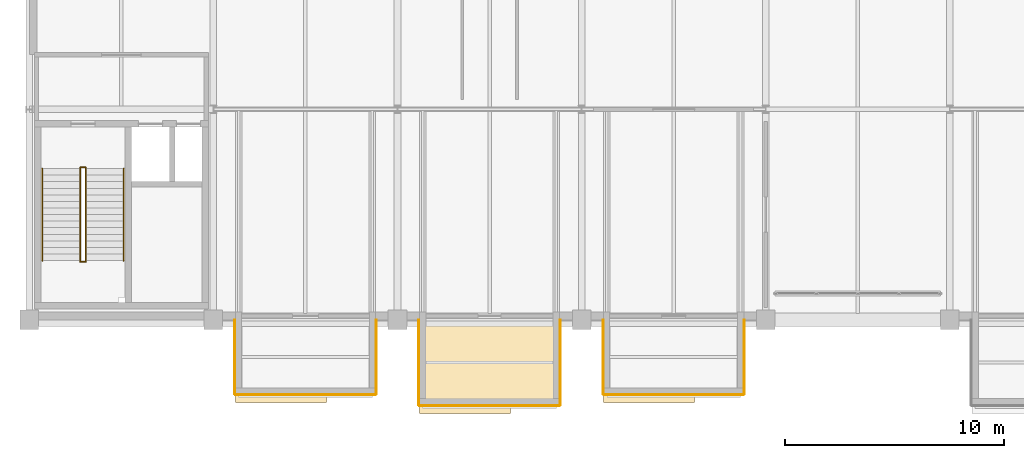
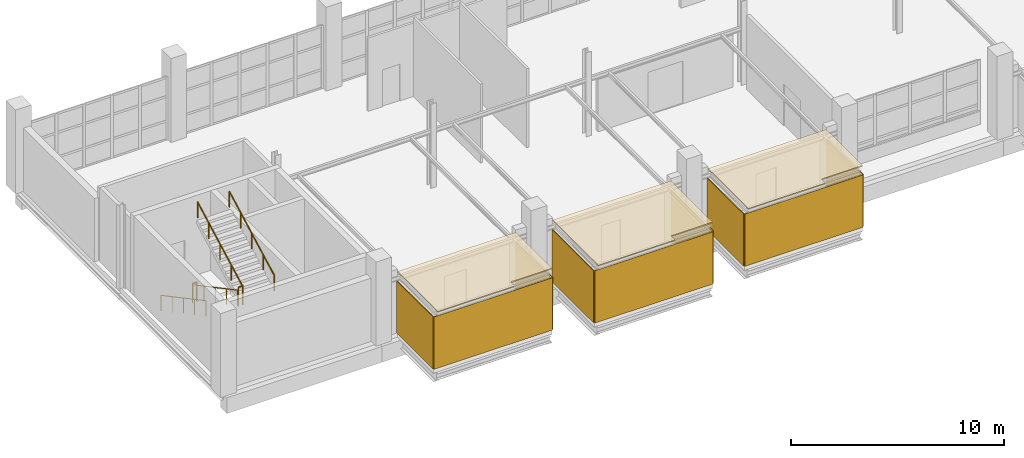
# One storey, part 27 of 29: 12 coverings, 6 railings.
"""IFC4 building model written with IfcOpenShell, lengths in metres."""

from ifc_helpers import new_model, si_unit, direction, frame, frame_2d, origin, origin_2d, place, context, subcontext, project, spatial, polyline, rectangle, circle, outline, extrude, material, layer, layer_set, type_object, element, save


model = new_model("IFC4")

# Units and contexts
model_context = context("Model", 3, precision=1e-05, world=origin(), true_north=direction((0.0, 1.0)))
body_context = subcontext(model_context, "Body", "Model", "MODEL_VIEW")
ifc_project = project(units=[si_unit("LENGTHUNIT", "METRE"), si_unit("AREAUNIT", "SQUARE_METRE"), si_unit("VOLUMEUNIT", "CUBIC_METRE"), si_unit("PLANEANGLEUNIT", "RADIAN"), si_unit("MASSUNIT", "GRAM", prefix="KILO")], contexts=[model_context])

# Site, building, storey
site_placement = place(None, origin())
site = spatial("IfcSite", under=ifc_project, at=site_placement, CompositionType="ELEMENT")
building_placement = place(site_placement, origin())
building = spatial("IfcBuilding", under=site, at=building_placement, Name="Veltarok Museum of Natural Sciences", CompositionType="ELEMENT")
storey_placement = place(building_placement, frame((0.0, 0.0, 26.39990234375)))
storey = spatial("IfcBuildingStorey", under=building, at=storey_placement, Name="L05", CompositionType="ELEMENT", Elevation=26.39990234375)

# Coverings
ifc_material_1 = material(Name="Corrugated zinc cladding")
ifc_layer_1 = layer(ifc_material_1, 0.044921875)
ifc_layer_set_1 = layer_set([ifc_layer_1], Name="Corrugated zinc cladding")
covering_type_1 = type_object("IfcCoveringType", Name="Corrugated Titanium-Zinc Rainscreen Cladding 45", PredefinedType="CLADDING", material=ifc_layer_set_1)
covering_1_placement = place(storey_placement, frame((41.0, -3.422119140625, 0.0), z_axis=(0.0, 0.0, 1.0), x_axis=(1.0, 0.0, 0.0)))
element("IfcCovering", 1, at=covering_1_placement, inside=storey, type_object=covering_type_1, Name="Corrugated Zinc Cladding DB-25-S", PredefinedType="CLADDING", context=body_context, shape_type="SweptSolid", body=[
    extrude(rectangle(XDim=6.39990234375, YDim=0.044921875, at=frame_2d((3.199951171875, 0.0))), origin(), (0.0, 0.0, 1.0), 2.989990234375),
])
for number, where, z_axis, x_axis, name in (
    (2, (40.97802734375, 0.0, 0.0), (0.0, 0.0, 1.0), (0.0, -1.0, 0.0), "Corrugated Zinc Cladding DB-25-W"),
    (3, (47.422119140625, -3.39990234375, 0.0), (0.0, 0.0, 1.0), (0.0, 1.0, 0.0), "Corrugated Zinc Cladding DB-25-E"),
):
    element("IfcCovering", number, at=place(storey_placement, frame(where, z_axis=z_axis, x_axis=x_axis)), inside=storey, type_object=covering_type_1, Name=name, PredefinedType="CLADDING", context=body_context, shape_type="SweptSolid", body=[
        extrude(rectangle(XDim=3.39990234375, YDim=0.044921875, at=frame_2d((1.699951171875, 0.0))), origin(), (0.0, 0.0, 1.0), 2.989990234375),
    ])
covering_2_placement = place(storey_placement, frame((49.39990234375, -3.922119140625, 0.0), z_axis=(0.0, 0.0, 1.0), x_axis=(1.0, 0.0, 0.0)))
element("IfcCovering", 4, at=covering_2_placement, inside=storey, type_object=covering_type_1, Name="Corrugated Zinc Cladding DB-26-S", PredefinedType="CLADDING", context=body_context, shape_type="SweptSolid", body=[
    extrude(rectangle(XDim=6.400146484375, YDim=0.044921875, at=frame_2d((3.2001953125, 0.0))), origin(), (0.0, 0.0, 1.0), 2.989990234375),
])
for number, where, z_axis, x_axis, name in (
    (5, (49.3779296875, 0.0, 0.0), (0.0, 0.0, 1.0), (0.0, -1.0, 0.0), "Corrugated Zinc Cladding DB-26-W"),
    (6, (55.822021484375, -3.89990234375, 0.0), (0.0, 0.0, 1.0), (0.0, 1.0, 0.0), "Corrugated Zinc Cladding DB-26-E"),
):
    element("IfcCovering", number, at=place(storey_placement, frame(where, z_axis=z_axis, x_axis=x_axis)), inside=storey, type_object=covering_type_1, Name=name, PredefinedType="CLADDING", context=body_context, shape_type="SweptSolid", body=[
        extrude(rectangle(XDim=3.89990234375, YDim=0.044921875, at=frame_2d((1.949951171875, 0.0))), origin(), (0.0, 0.0, 1.0), 2.989990234375),
    ])
covering_3_placement = place(storey_placement, frame((57.800048828125, -3.422119140625, 0.0), z_axis=(0.0, 0.0, 1.0), x_axis=(1.0, 0.0, 0.0)))
element("IfcCovering", 7, at=covering_3_placement, inside=storey, type_object=covering_type_1, Name="Corrugated Zinc Cladding DB-27-S", PredefinedType="CLADDING", context=body_context, shape_type="SweptSolid", body=[
    extrude(rectangle(XDim=6.39990234375, YDim=0.044921875, at=frame_2d((3.199951171875, 0.0))), origin(), (0.0, 0.0, 1.0), 2.989990234375),
])
for number, where, z_axis, x_axis, name in (
    (8, (57.778076171875, 0.0, 0.0), (0.0, 0.0, 1.0), (0.0, -1.0, 0.0), "Corrugated Zinc Cladding DB-27-W"),
    (9, (64.221923828125, -3.39990234375, 0.0), (0.0, 0.0, 1.0), (0.0, 1.0, 0.0), "Corrugated Zinc Cladding DB-27-E"),
):
    element("IfcCovering", number, at=place(storey_placement, frame(where, z_axis=z_axis, x_axis=x_axis)), inside=storey, type_object=covering_type_1, Name=name, PredefinedType="CLADDING", context=body_context, shape_type="SweptSolid", body=[
        extrude(rectangle(XDim=3.39990234375, YDim=0.044921875, at=frame_2d((1.699951171875, 0.0))), origin(), (0.0, 0.0, 1.0), 2.989990234375),
    ])
ifc_material_2 = material(Name="EPDM waterproofing membrane")
ifc_layer_2 = layer(ifc_material_2, 0.06005859375)
ifc_layer_set_2 = layer_set([ifc_layer_2], Name="EPDM waterproofing membrane")
covering_type_2 = type_object("IfcCoveringType", Name="EPDM Waterproofing and Acoustic Roof Membrane 60", PredefinedType="ROOFING", material=ifc_layer_set_2)
covering_4_placement = place(storey_placement, frame((0.0, 0.0, 3.4501953125)))
element("IfcCovering", 10, at=covering_4_placement, inside=storey, type_object=covering_type_2, Name="Cabinet Box Roof Membrane DB-25", PredefinedType="ROOFING", context=body_context, shape_type="SweptSolid", body=[
    extrude(outline(polyline([(41.0, -3.780029296875), (45.159912109375, -3.780029296875), (45.159912109375, -3.39990234375), (47.39990234375, -3.39990234375), (47.39990234375, 0.0), (41.0, 0.0), (41.0, -3.780029296875)])), origin(), (0.0, 0.0, 1.0), 0.059814453125),
])
covering_5_placement = place(storey_placement, frame((0.0, 0.0, 3.4501953125)))
element("IfcCovering", 11, at=covering_5_placement, inside=storey, type_object=covering_type_2, Name="Cabinet Box Roof Membrane DB-26", PredefinedType="ROOFING", context=body_context, shape_type="SweptSolid", body=[
    extrude(outline(polyline([(49.39990234375, -4.280029296875), (53.56005859375, -4.280029296875), (53.56005859375, -3.89990234375), (55.800048828125, -3.89990234375), (55.800048828125, 0.0), (49.39990234375, 0.0), (49.39990234375, -4.280029296875)])), origin(), (0.0, 0.0, 1.0), 0.059814453125),
])
covering_6_placement = place(storey_placement, frame((0.0, 0.0, 3.4501953125)))
element("IfcCovering", 12, at=covering_6_placement, inside=storey, type_object=covering_type_2, Name="Cabinet Box Roof Membrane DB-27", PredefinedType="ROOFING", context=body_context, shape_type="SweptSolid", body=[
    extrude(outline(polyline([(57.800048828125, -3.780029296875), (61.9599609375, -3.780029296875), (61.9599609375, -3.39990234375), (64.199951171875, -3.39990234375), (64.199951171875, 0.0), (57.800048828125, 0.0), (57.800048828125, -3.780029296875)])), origin(), (0.0, 0.0, 1.0), 0.059814453125),
])

# Railings
ifc_material_3 = material(Name="Steel S355J2", Category="steel")
railing_type_1 = type_object("IfcRailingType", Name="Interior Atrium and Stairwell Guardrail 1100", PredefinedType="GUARDRAIL", material=ifc_material_3)
for number, where, name in (
    (13, (33.929931640625, 6.949951171875, 0.0), "Stairwell Floor Guard ST-01 L05"),
    (14, (33.929931640625, 2.639892578125, 2.400146484375), "Landing Well Guard ST-01-L05-L1"),
):
    element("IfcRailing", number, at=place(storey_placement, frame(where)), inside=storey, type_object=railing_type_1, Name=name, PredefinedType="GUARDRAIL", context=body_context, shape_type="SweptSolid", body=[
        extrude(circle(Radius=0.02392578125, at=origin_2d()), frame((0.0, 0.0, 1.076171875), z_axis=(1.0, 0.0, 0.0), x_axis=(0.0, 1.0, 0.0)), (0.0, 0.0, 1.0), 0.239990234375),
        extrude(circle(Radius=0.02099609375, at=origin_2d()), origin(), (0.0, 0.0, 1.0), 1.052001953125),
        extrude(circle(Radius=0.02099609375, at=origin_2d()), frame((0.239990234375, 0.0, 0.0)), (0.0, 0.0, 1.0), 1.052001953125),
    ])
railing_type_2 = type_object("IfcRailingType", Name="Stair Flight Tubular Steel Handrail 900", PredefinedType="HANDRAIL", material=ifc_material_3)
for number, where, name in (
    (15, (32.199951171875, 6.89990234375, 0.16015625), "Stair Handrail ST-01-L05-F1L"),
    (16, (33.919921875, 6.89990234375, 0.16015625), "Stair Handrail ST-01-L05-F1R"),
):
    element("IfcRailing", number, at=place(storey_placement, frame(where)), inside=storey, type_object=railing_type_2, Name=name, PredefinedType="HANDRAIL", context=body_context, shape_type="SweptSolid", body=[
        extrude(circle(Radius=0.02392578125, at=origin_2d()), frame((0.0, 0.0, 0.8759765625), z_axis=(0.0, -0.882351521365, 0.470590897432), x_axis=(1.0, 0.0, 0.0)), (0.0, 0.0, 1.0), 4.760009765625),
        extrude(circle(Radius=0.02099609375, at=origin_2d()), origin(), (0.0, 0.0, 1.0), 0.851806640625),
        extrude(circle(Radius=0.02099609375, at=origin_2d()), frame((0.0, -1.050048828125, 0.56005859375)), (0.0, 0.0, 1.0), 0.851806640625),
        extrude(circle(Radius=0.02099609375, at=origin_2d()), frame((0.0, -2.10009765625, 1.1201171875)), (0.0, 0.0, 1.0), 0.851806640625),
        extrude(circle(Radius=0.02099609375, at=origin_2d()), frame((0.0, -3.14990234375, 1.679931640625)), (0.0, 0.0, 1.0), 0.851806640625),
        extrude(circle(Radius=0.02099609375, at=origin_2d()), frame((0.0, -4.199951171875, 2.239990234375)), (0.0, 0.0, 1.0), 0.851806640625),
    ])
for number, where, name in (
    (17, (34.179931640625, 2.699951171875, 2.56005859375), "Stair Handrail ST-01-L05-F2L"),
    (18, (35.89990234375, 2.699951171875, 2.56005859375), "Stair Handrail ST-01-L05-F2R"),
):
    element("IfcRailing", number, at=place(storey_placement, frame(where)), inside=storey, type_object=railing_type_2, Name=name, PredefinedType="HANDRAIL", context=body_context, shape_type="SweptSolid", body=[
        extrude(circle(Radius=0.02392578125, at=origin_2d()), frame((0.0, 0.0, 0.8759765625), z_axis=(0.0, 0.882351521365, 0.470590897432), x_axis=(-1.0, 0.0, 0.0)), (0.0, 0.0, 1.0), 4.760009765625),
        extrude(circle(Radius=0.02099609375, at=origin_2d()), origin(), (0.0, 0.0, 1.0), 0.851806640625),
        extrude(circle(Radius=0.02099609375, at=origin_2d()), frame((0.0, 1.050048828125, 0.56005859375)), (0.0, 0.0, 1.0), 0.851806640625),
        extrude(circle(Radius=0.02099609375, at=origin_2d()), frame((0.0, 2.10009765625, 1.1201171875)), (0.0, 0.0, 1.0), 0.851806640625),
        extrude(circle(Radius=0.02099609375, at=origin_2d()), frame((0.0, 3.14990234375, 1.679931640625)), (0.0, 0.0, 1.0), 0.851806640625),
        extrude(circle(Radius=0.02099609375, at=origin_2d()), frame((0.0, 4.199951171875, 2.239990234375)), (0.0, 0.0, 1.0), 0.851806640625),
    ])

save(model, "model.ifc")
